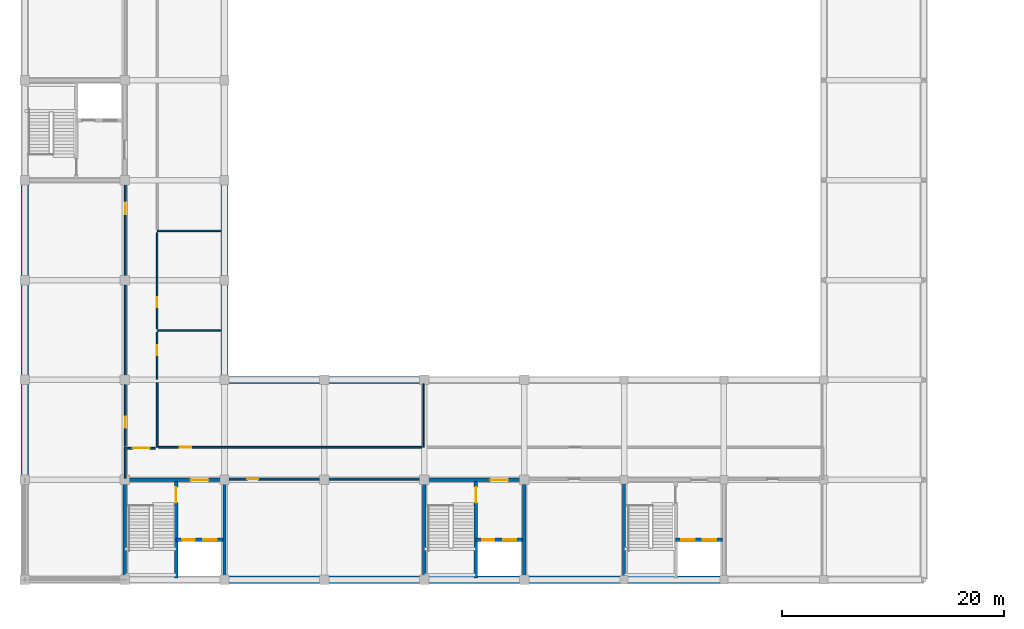
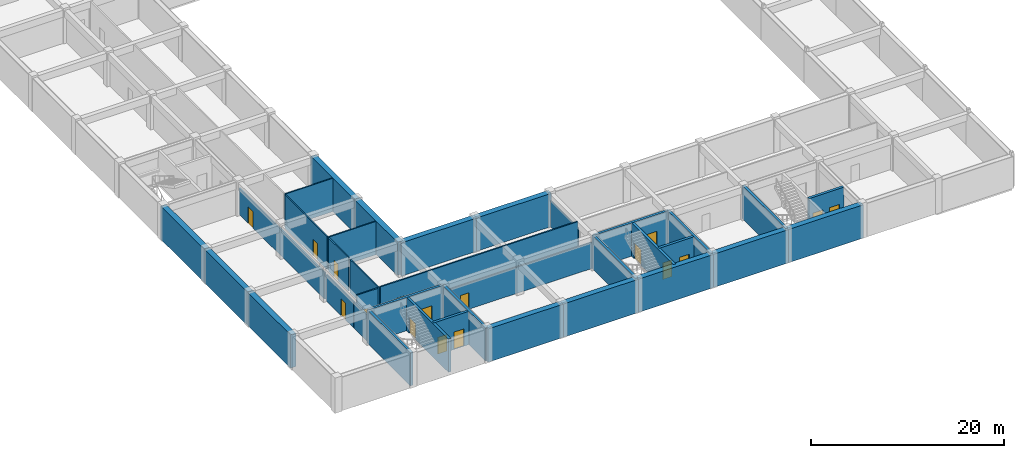
# One storey, part 18 of 35: 36 walls, 17 doors, 17 openings.
"""IFC4 building model written with IfcOpenShell, lengths in metres."""

from ifc_helpers import new_model, si_unit, direction, frame, frame_2d, origin, place, context, subcontext, project, spatial, rectangle, extrude, material, layer, layer_set, type_object, element, fill, save


model = new_model("IFC4")

# Units and contexts
model_context = context("Model", 3, precision=1e-05, world=origin(), true_north=direction((0.0, 1.0)))
body_context = subcontext(model_context, "Body", "Model", "MODEL_VIEW")
ifc_project = project(units=[si_unit("LENGTHUNIT", "METRE"), si_unit("AREAUNIT", "SQUARE_METRE"), si_unit("VOLUMEUNIT", "CUBIC_METRE"), si_unit("PLANEANGLEUNIT", "RADIAN"), si_unit("MASSUNIT", "GRAM", prefix="KILO")], contexts=[model_context])

# Site, building, storey
site_placement = place(None, origin())
site = spatial("IfcSite", under=ifc_project, at=site_placement, CompositionType="ELEMENT")
building_placement = place(site_placement, origin())
building = spatial("IfcBuilding", under=site, at=building_placement, Name="Palais des Congres Ocreval", CompositionType="ELEMENT")
storey_placement = place(building_placement, frame((0.0, 0.0, -4.47998046875)))
storey = spatial("IfcBuildingStorey", under=building, at=storey_placement, Name="B1", CompositionType="ELEMENT", Elevation=-4.47998046875)

# Walls
ifc_material_1 = material(Name="Moisture-resistant gypsum board")
ifc_layer_1 = layer(ifc_material_1, 0.139892578125)
ifc_layer_set_1 = layer_set([ifc_layer_1], Name="Bathroom Plumbing Chase Wall 140 Gypsum (Moisture-resistant gypsum board)")
wall_type_1 = type_object("IfcWallType", Name="Bathroom Plumbing Chase Wall 140 Gypsum", PredefinedType="PLUMBINGWALL", material=ifc_layer_set_1)
for number, where, z_axis, x_axis, name in (
    (1, (11.93994140625, 22.43505859375, 0.0), (0.0, 0.0, 1.0), (1.0, 0.0, 0.0), "Interior Partition PW03 B1"),
    (2, (11.93994140625, 31.43505859375, 0.0), (0.0, 0.0, 1.0), (1.0, 0.0, 0.0), "Interior Partition PW03 B1"),
):
    element("IfcWall", number, at=place(storey_placement, frame(where, z_axis=z_axis, x_axis=x_axis)), inside=storey, type_object=wall_type_1, Name=name, PredefinedType="PLUMBINGWALL", context=body_context, shape_type="SweptSolid", body=[
        extrude(rectangle(XDim=5.72998046875, YDim=0.139892578125, at=frame_2d((2.864990234375, 0.0))), origin(), (0.0, 0.0, 1.0), 4.219970703125),
    ])

# Wall, opening, door
wall_1_placement = place(storey_placement, frame((11.93505859375, 18.070068359375, 0.0), z_axis=(0.0, 0.0, 1.0), x_axis=(0.0, 1.0, 0.0)))
wall_1 = element("IfcWall", 3, at=wall_1_placement, inside=storey, type_object=wall_type_1, Name="Interior Partition PW03 B1", PredefinedType="PLUMBINGWALL", context=body_context, shape_type="SweptSolid", body=[
    extrude(rectangle(XDim=4.2099609375, YDim=0.139892578125, at=frame_2d((2.10498046875, 0.0))), origin(), (0.0, 0.0, 1.0), 4.219970703125),
])
opening_1_placement = place(wall_1_placement, frame((2.16015625, 0.0, 0.0)))
opening_1 = element("IfcOpeningElement", 4, at=opening_1_placement, cuts=wall_1, Name="Opening D09", PredefinedType="OPENING", context=body_context, shape_type="SweptSolid", body=[
    extrude(rectangle(XDim=0.89990234375, YDim=2.10009765625, at=frame_2d((0.449951171875, 1.050048828125))), frame((0.0, 0.079833984375, 0.0), z_axis=(0.0, -1.0, 0.0), x_axis=(1.0, 0.0, 0.0)), (0.0, 0.0, 1.0), 0.159912109375),
])
ifc_material_2 = material(Name="Solid French oak", Category="wood")
door_type_1 = type_object("IfcDoorType", Name="Accessible Restroom Door 900x2100", OperationType="NOTDEFINED", PredefinedType="DOOR", material=ifc_material_2)
door_1_placement = place(opening_1_placement, origin())
door_1 = element("IfcDoor", 5, at=door_1_placement, inside=storey, type_object=door_type_1, Name="Interior Door D09 B1", OperationType="SINGLE_SWING_LEFT", OverallHeight=2.10009765625, OverallWidth=0.89990234375, PredefinedType="DOOR", context=body_context, shape_type="SweptSolid", body=[
    extrude(rectangle(XDim=0.89990234375, YDim=2.10009765625, at=frame_2d((0.449951171875, 1.050048828125))), frame((0.0, 0.02490234375, 0.0), z_axis=(0.0, -1.0, 0.0), x_axis=(1.0, 0.0, 0.0)), (0.0, 0.0, 1.0), 0.050048828125),
])
fill(opening_1, door_1)

wall_2_placement = place(storey_placement, frame((11.93505859375, 22.590087890625, 0.0), z_axis=(0.0, 0.0, 1.0), x_axis=(0.0, 1.0, 0.0)))
wall_2 = element("IfcWall", 6, at=wall_2_placement, inside=storey, type_object=wall_type_1, Name="Interior Partition PW03 B1", PredefinedType="PLUMBINGWALL", context=body_context, shape_type="SweptSolid", body=[
    extrude(rectangle(XDim=8.68994140625, YDim=0.139892578125, at=frame_2d((4.344970703125, 0.0))), origin(), (0.0, 0.0, 1.0), 4.219970703125),
])
opening_2_placement = place(wall_2_placement, frame((1.949951171875, 0.0, 0.0)))
opening_2 = element("IfcOpeningElement", 7, at=opening_2_placement, cuts=wall_2, Name="Opening D09", PredefinedType="OPENING", context=body_context, shape_type="SweptSolid", body=[
    extrude(rectangle(XDim=0.89990234375, YDim=2.10009765625, at=frame_2d((0.449951171875, 1.050048828125))), frame((0.0, 0.079833984375, 0.0), z_axis=(0.0, -1.0, 0.0), x_axis=(1.0, 0.0, 0.0)), (0.0, 0.0, 1.0), 0.159912109375),
])
door_2_placement = place(opening_2_placement, origin())
door_2 = element("IfcDoor", 8, at=door_2_placement, inside=storey, type_object=door_type_1, Name="Interior Door D09 B1", OperationType="SINGLE_SWING_RIGHT", OverallHeight=2.10009765625, OverallWidth=0.89990234375, PredefinedType="DOOR", context=body_context, shape_type="SweptSolid", body=[
    extrude(rectangle(XDim=0.89990234375, YDim=2.10009765625, at=frame_2d((0.449951171875, 1.050048828125))), frame((0.0, 0.02490234375, 0.0), z_axis=(0.0, -1.0, 0.0), x_axis=(1.0, 0.0, 0.0)), (0.0, 0.0, 1.0), 0.050048828125),
])
fill(opening_2, door_2)

# Wall
ifc_material_3 = material(Name="Concrete C40/50", Category="concrete")
ifc_layer_2 = layer(ifc_material_3, 0.300048828125)
ifc_layer_set_2 = layer_set([ifc_layer_2], Name="Core Shear Wall 300 Concrete C40/50")
wall_type_2 = type_object("IfcWallType", Name="Core Shear Wall 300 Concrete C40/50", PredefinedType="SHEAR", material=ifc_layer_set_2)
wall_3_placement = place(storey_placement, frame((18.0, 0.0, 0.0), z_axis=(0.0, 0.0, 1.0), x_axis=(0.0, 1.0, 0.0)))
element("IfcWall", 9, at=wall_3_placement, inside=storey, type_object=wall_type_2, Name="Core Shear Wall SC01 B1 E", PredefinedType="SHEAR", context=body_context, shape_type="SweptSolid", body=[
    extrude(rectangle(XDim=9.0, YDim=0.300048828125, at=frame_2d((4.5, 0.0))), origin(), (0.0, 0.0, 1.0), 4.219970703125),
])

# Wall, opening, door
wall_4_placement = place(storey_placement, frame((9.0, 9.0, 0.0), z_axis=(0.0, 0.0, 1.0), x_axis=(1.0, 0.0, 0.0)))
wall_4 = element("IfcWall", 10, at=wall_4_placement, inside=storey, type_object=wall_type_2, Name="Core Shear Wall SC01 B1 N", PredefinedType="SHEAR", context=body_context, shape_type="SweptSolid", body=[
    extrude(rectangle(XDim=9.0, YDim=0.300048828125, at=frame_2d((4.5, 0.0))), origin(), (0.0, 0.0, 1.0), 4.219970703125),
])
opening_3_placement = place(wall_4_placement, frame((5.949951171875, 0.0, 0.0)))
opening_3 = element("IfcOpeningElement", 11, at=opening_3_placement, cuts=wall_4, Name="Opening D02", PredefinedType="OPENING", context=body_context, shape_type="SweptSolid", body=[
    extrude(rectangle(XDim=1.60009765625, YDim=2.10009765625, at=frame_2d((0.800048828125, 1.050048828125))), frame((0.0, 0.159912109375, 0.0), z_axis=(0.0, -1.0, 0.0), x_axis=(1.0, 0.0, 0.0)), (0.0, 0.0, 1.0), 0.320068359375),
])
ifc_material_4 = material(Name="Painted fire-rated steel", Category="steel")
door_type_2 = type_object("IfcDoorType", Name="Firefighting Lobby Rated Door 1600x2100", OperationType="NOTDEFINED", PredefinedType="DOOR", material=ifc_material_4)
door_3_placement = place(opening_3_placement, origin())
door_3 = element("IfcDoor", 12, at=door_3_placement, inside=storey, type_object=door_type_2, Name="Firefighting Lobby Entrance Door SC01 B1", OperationType="DOUBLE_DOOR_SINGLE_SWING", OverallHeight=2.10009765625, OverallWidth=1.60009765625, PredefinedType="DOOR", context=body_context, shape_type="SweptSolid", body=[
    extrude(rectangle(XDim=1.60009765625, YDim=2.10009765625, at=frame_2d((0.800048828125, 1.050048828125))), frame((0.0, 0.02490234375, 0.0), z_axis=(0.0, -1.0, 0.0), x_axis=(1.0, 0.0, 0.0)), (0.0, 0.0, 1.0), 0.050048828125),
])
fill(opening_3, door_3)

# Wall
wall_5_placement = place(storey_placement, frame((9.0, 0.0, 0.0), z_axis=(0.0, 0.0, 1.0), x_axis=(0.0, 1.0, 0.0)))
element("IfcWall", 13, at=wall_5_placement, inside=storey, type_object=wall_type_2, Name="Core Shear Wall SC01 B1 W", PredefinedType="SHEAR", context=body_context, shape_type="SweptSolid", body=[
    extrude(rectangle(XDim=9.0, YDim=0.300048828125, at=frame_2d((4.5, 0.0))), origin(), (0.0, 0.0, 1.0), 4.219970703125),
])

# Wall, opening, door
wall_6_placement = place(storey_placement, frame((13.64990234375, 0.14990234375, 0.0), z_axis=(0.0, 0.0, 1.0), x_axis=(0.0, 1.0, 0.0)))
wall_6 = element("IfcWall", 14, at=wall_6_placement, inside=storey, type_object=wall_type_2, Name="Core Spine Shear Wall SC01 B1", PredefinedType="SHEAR", context=body_context, shape_type="SweptSolid", body=[
    extrude(rectangle(XDim=8.7001953125, YDim=0.300048828125, at=frame_2d((4.35009765625, 0.0))), origin(), (0.0, 0.0, 1.0), 4.219970703125),
])
opening_4_placement = place(wall_6_placement, frame((6.800048828125, 0.0, 0.0)))
opening_4 = element("IfcOpeningElement", 15, at=opening_4_placement, cuts=wall_6, Name="Opening D03", PredefinedType="OPENING", context=body_context, shape_type="SweptSolid", body=[
    extrude(rectangle(XDim=1.39990234375, YDim=2.02001953125, at=frame_2d((0.699951171875, 1.010009765625))), frame((0.0, 0.159912109375, 0.0), z_axis=(0.0, -1.0, 0.0), x_axis=(1.0, 0.0, 0.0)), (0.0, 0.0, 1.0), 0.320068359375),
])
door_type_3 = type_object("IfcDoorType", Name="Core Lobby Rated Door 1400x2020", OperationType="NOTDEFINED", PredefinedType="DOOR", material=ifc_material_4)
door_4_placement = place(opening_4_placement, origin())
door_4 = element("IfcDoor", 16, at=door_4_placement, inside=storey, type_object=door_type_3, Name="Protected Exit Stair Door ST01 B1", OperationType="SINGLE_SWING_LEFT", OverallHeight=2.02001953125, OverallWidth=1.39990234375, PredefinedType="DOOR", context=body_context, shape_type="SweptSolid", body=[
    extrude(rectangle(XDim=1.39990234375, YDim=2.02001953125, at=frame_2d((0.699951171875, 1.010009765625))), frame((0.0, 0.02490234375, 0.0), z_axis=(0.0, -1.0, 0.0), x_axis=(1.0, 0.0, 0.0)), (0.0, 0.0, 1.0), 0.050048828125),
])
fill(opening_4, door_4)

# Wall, openings, doors
wall_7_placement = place(storey_placement, frame((13.64990234375, 3.60009765625, 0.0), z_axis=(0.0, 0.0, 1.0), x_axis=(1.0, 0.0, 0.0)))
wall_7 = element("IfcWall", 17, at=wall_7_placement, inside=storey, type_object=wall_type_2, Name="Lift Shaft Front Wall SC01 B1", PredefinedType="SHEAR", context=body_context, shape_type="SweptSolid", body=[
    extrude(rectangle(XDim=4.2001953125, YDim=0.300048828125, at=frame_2d((2.10009765625, 0.0))), origin(), (0.0, 0.0, 1.0), 4.219970703125),
])
opening_5_placement = place(wall_7_placement, frame((0.550048828125, 0.0, 0.0)))
opening_5 = element("IfcOpeningElement", 18, at=opening_5_placement, cuts=wall_7, Name="Opening LD01", PredefinedType="OPENING", context=body_context, shape_type="SweptSolid", body=[
    extrude(rectangle(XDim=1.10009765625, YDim=2.10009765625, at=frame_2d((0.550048828125, 1.050048828125))), frame((0.0, 0.159912109375, 0.0), z_axis=(0.0, -1.0, 0.0), x_axis=(1.0, 0.0, 0.0)), (0.0, 0.0, 1.0), 0.320068359375),
])
opening_6_placement = place(wall_7_placement, frame((2.449951171875, 0.0, 0.0)))
opening_6 = element("IfcOpeningElement", 19, at=opening_6_placement, cuts=wall_7, Name="Opening LD02", PredefinedType="OPENING", context=body_context, shape_type="SweptSolid", body=[
    extrude(rectangle(XDim=1.199951171875, YDim=2.199951171875, at=frame_2d((0.60009765625, 1.10009765625))), frame((0.0, 0.159912109375, 0.0), z_axis=(0.0, -1.0, 0.0), x_axis=(1.0, 0.0, 0.0)), (0.0, 0.0, 1.0), 0.320068359375),
])
ifc_material_5 = material(Name="Stainless steel", Category="steel")
door_type_4 = type_object("IfcDoorType", Name="Firefighting Lift Sliding Landing Door 1100x2100", OperationType="NOTDEFINED", PredefinedType="DOOR", material=ifc_material_5)
door_5_placement = place(opening_5_placement, origin())
door_5 = element("IfcDoor", 20, at=door_5_placement, inside=storey, type_object=door_type_4, Name="Lift Landing Sliding Door FF1 B1", OperationType="DOUBLE_DOOR_SLIDING", OverallHeight=2.10009765625, OverallWidth=1.10009765625, PredefinedType="DOOR", context=body_context, shape_type="SweptSolid", body=[
    extrude(rectangle(XDim=1.10009765625, YDim=2.10009765625, at=frame_2d((0.550048828125, 1.050048828125))), frame((0.0, 0.02490234375, 0.0), z_axis=(0.0, -1.0, 0.0), x_axis=(1.0, 0.0, 0.0)), (0.0, 0.0, 1.0), 0.050048828125),
])
fill(opening_5, door_5)
ifc_material_6 = material(Name="Anodized bronze steel", Category="steel")
door_type_5 = type_object("IfcDoorType", Name="Passenger and Service Lift Sliding Door 1200x2200", OperationType="NOTDEFINED", PredefinedType="DOOR", material=ifc_material_6)
door_6_placement = place(opening_6_placement, origin())
door_6 = element("IfcDoor", 21, at=door_6_placement, inside=storey, type_object=door_type_5, Name="Lift Landing Sliding Door PL1 B1", OperationType="DOUBLE_DOOR_SLIDING", OverallHeight=2.199951171875, OverallWidth=1.199951171875, PredefinedType="DOOR", context=body_context, shape_type="SweptSolid", body=[
    extrude(rectangle(XDim=1.199951171875, YDim=2.199951171875, at=frame_2d((0.60009765625, 1.10009765625))), frame((0.0, 0.02490234375, 0.0), z_axis=(0.0, -1.0, 0.0), x_axis=(1.0, 0.0, 0.0)), (0.0, 0.0, 1.0), 0.050048828125),
])
fill(opening_6, door_6)

# Wall
wall_8_placement = place(storey_placement, frame((45.0, 0.0, 0.0), z_axis=(0.0, 0.0, 1.0), x_axis=(0.0, 1.0, 0.0)))
element("IfcWall", 22, at=wall_8_placement, inside=storey, type_object=wall_type_2, Name="Core Shear Wall SC02 B1 E", PredefinedType="SHEAR", context=body_context, shape_type="SweptSolid", body=[
    extrude(rectangle(XDim=9.0, YDim=0.300048828125, at=frame_2d((4.5, 0.0))), origin(), (0.0, 0.0, 1.0), 4.219970703125),
])

# Wall, opening, door
wall_9_placement = place(storey_placement, frame((36.0, 9.0, 0.0), z_axis=(0.0, 0.0, 1.0), x_axis=(1.0, 0.0, 0.0)))
wall_9 = element("IfcWall", 23, at=wall_9_placement, inside=storey, type_object=wall_type_2, Name="Core Shear Wall SC02 B1 N", PredefinedType="SHEAR", context=body_context, shape_type="SweptSolid", body=[
    extrude(rectangle(XDim=9.0, YDim=0.300048828125, at=frame_2d((4.5, 0.0))), origin(), (0.0, 0.0, 1.0), 4.219970703125),
])
opening_7_placement = place(wall_9_placement, frame((5.949951171875, 0.0, 0.0)))
opening_7 = element("IfcOpeningElement", 24, at=opening_7_placement, cuts=wall_9, Name="Opening D02", PredefinedType="OPENING", context=body_context, shape_type="SweptSolid", body=[
    extrude(rectangle(XDim=1.60009765625, YDim=2.10009765625, at=frame_2d((0.800048828125, 1.050048828125))), frame((0.0, 0.159912109375, 0.0), z_axis=(0.0, -1.0, 0.0), x_axis=(1.0, 0.0, 0.0)), (0.0, 0.0, 1.0), 0.320068359375),
])
door_7_placement = place(opening_7_placement, origin())
door_7 = element("IfcDoor", 25, at=door_7_placement, inside=storey, type_object=door_type_2, Name="Firefighting Lobby Entrance Door SC02 B1", OperationType="DOUBLE_DOOR_SINGLE_SWING", OverallHeight=2.10009765625, OverallWidth=1.60009765625, PredefinedType="DOOR", context=body_context, shape_type="SweptSolid", body=[
    extrude(rectangle(XDim=1.60009765625, YDim=2.10009765625, at=frame_2d((0.800048828125, 1.050048828125))), frame((0.0, 0.02490234375, 0.0), z_axis=(0.0, -1.0, 0.0), x_axis=(1.0, 0.0, 0.0)), (0.0, 0.0, 1.0), 0.050048828125),
])
fill(opening_7, door_7)

# Wall
wall_10_placement = place(storey_placement, frame((36.0, 0.0, 0.0), z_axis=(0.0, 0.0, 1.0), x_axis=(0.0, 1.0, 0.0)))
element("IfcWall", 26, at=wall_10_placement, inside=storey, type_object=wall_type_2, Name="Core Shear Wall SC02 B1 W", PredefinedType="SHEAR", context=body_context, shape_type="SweptSolid", body=[
    extrude(rectangle(XDim=9.0, YDim=0.300048828125, at=frame_2d((4.5, 0.0))), origin(), (0.0, 0.0, 1.0), 4.219970703125),
])

# Wall, opening, door
wall_11_placement = place(storey_placement, frame((40.64990234375, 0.14990234375, 0.0), z_axis=(0.0, 0.0, 1.0), x_axis=(0.0, 1.0, 0.0)))
wall_11 = element("IfcWall", 27, at=wall_11_placement, inside=storey, type_object=wall_type_2, Name="Core Spine Shear Wall SC02 B1", PredefinedType="SHEAR", context=body_context, shape_type="SweptSolid", body=[
    extrude(rectangle(XDim=8.7001953125, YDim=0.300048828125, at=frame_2d((4.35009765625, 0.0))), origin(), (0.0, 0.0, 1.0), 4.219970703125),
])
opening_8_placement = place(wall_11_placement, frame((6.800048828125, 0.0, 0.0)))
opening_8 = element("IfcOpeningElement", 28, at=opening_8_placement, cuts=wall_11, Name="Opening D03", PredefinedType="OPENING", context=body_context, shape_type="SweptSolid", body=[
    extrude(rectangle(XDim=1.39990234375, YDim=2.02001953125, at=frame_2d((0.699951171875, 1.010009765625))), frame((0.0, 0.159912109375, 0.0), z_axis=(0.0, -1.0, 0.0), x_axis=(1.0, 0.0, 0.0)), (0.0, 0.0, 1.0), 0.320068359375),
])
door_8_placement = place(opening_8_placement, origin())
door_8 = element("IfcDoor", 29, at=door_8_placement, inside=storey, type_object=door_type_3, Name="Protected Exit Stair Door ST02 B1", OperationType="SINGLE_SWING_RIGHT", OverallHeight=2.02001953125, OverallWidth=1.39990234375, PredefinedType="DOOR", context=body_context, shape_type="SweptSolid", body=[
    extrude(rectangle(XDim=1.39990234375, YDim=2.02001953125, at=frame_2d((0.699951171875, 1.010009765625))), frame((0.0, 0.02490234375, 0.0), z_axis=(0.0, -1.0, 0.0), x_axis=(1.0, 0.0, 0.0)), (0.0, 0.0, 1.0), 0.050048828125),
])
fill(opening_8, door_8)

# Wall, openings, doors
wall_12_placement = place(storey_placement, frame((40.64990234375, 3.60009765625, 0.0), z_axis=(0.0, 0.0, 1.0), x_axis=(1.0, 0.0, 0.0)))
wall_12 = element("IfcWall", 30, at=wall_12_placement, inside=storey, type_object=wall_type_2, Name="Lift Shaft Front Wall SC02 B1", PredefinedType="SHEAR", context=body_context, shape_type="SweptSolid", body=[
    extrude(rectangle(XDim=4.2001953125, YDim=0.300048828125, at=frame_2d((2.10009765625, 0.0))), origin(), (0.0, 0.0, 1.0), 4.219970703125),
])
opening_9_placement = place(wall_12_placement, frame((0.550048828125, 0.0, 0.0)))
opening_9 = element("IfcOpeningElement", 31, at=opening_9_placement, cuts=wall_12, Name="Opening LD01", PredefinedType="OPENING", context=body_context, shape_type="SweptSolid", body=[
    extrude(rectangle(XDim=1.10009765625, YDim=2.10009765625, at=frame_2d((0.550048828125, 1.050048828125))), frame((0.0, 0.159912109375, 0.0), z_axis=(0.0, -1.0, 0.0), x_axis=(1.0, 0.0, 0.0)), (0.0, 0.0, 1.0), 0.320068359375),
])
opening_10_placement = place(wall_12_placement, frame((2.449951171875, 0.0, 0.0)))
opening_10 = element("IfcOpeningElement", 32, at=opening_10_placement, cuts=wall_12, Name="Opening LD02", PredefinedType="OPENING", context=body_context, shape_type="SweptSolid", body=[
    extrude(rectangle(XDim=1.199951171875, YDim=2.199951171875, at=frame_2d((0.60009765625, 1.10009765625))), frame((0.0, 0.159912109375, 0.0), z_axis=(0.0, -1.0, 0.0), x_axis=(1.0, 0.0, 0.0)), (0.0, 0.0, 1.0), 0.320068359375),
])
door_9_placement = place(opening_9_placement, origin())
door_9 = element("IfcDoor", 33, at=door_9_placement, inside=storey, type_object=door_type_4, Name="Lift Landing Sliding Door FF2 B1", OperationType="DOUBLE_DOOR_SLIDING", OverallHeight=2.10009765625, OverallWidth=1.10009765625, PredefinedType="DOOR", context=body_context, shape_type="SweptSolid", body=[
    extrude(rectangle(XDim=1.10009765625, YDim=2.10009765625, at=frame_2d((0.550048828125, 1.050048828125))), frame((0.0, 0.02490234375, 0.0), z_axis=(0.0, -1.0, 0.0), x_axis=(1.0, 0.0, 0.0)), (0.0, 0.0, 1.0), 0.050048828125),
])
fill(opening_9, door_9)
door_10_placement = place(opening_10_placement, origin())
door_10 = element("IfcDoor", 34, at=door_10_placement, inside=storey, type_object=door_type_5, Name="Lift Landing Sliding Door PL2 B1", OperationType="DOUBLE_DOOR_SLIDING", OverallHeight=2.199951171875, OverallWidth=1.199951171875, PredefinedType="DOOR", context=body_context, shape_type="SweptSolid", body=[
    extrude(rectangle(XDim=1.199951171875, YDim=2.199951171875, at=frame_2d((0.60009765625, 1.10009765625))), frame((0.0, 0.02490234375, 0.0), z_axis=(0.0, -1.0, 0.0), x_axis=(1.0, 0.0, 0.0)), (0.0, 0.0, 1.0), 0.050048828125),
])
fill(opening_10, door_10)

# Wall
wall_13_placement = place(storey_placement, frame((54.0, 0.0, 0.0), z_axis=(0.0, 0.0, 1.0), x_axis=(0.0, 1.0, 0.0)))
element("IfcWall", 35, at=wall_13_placement, inside=storey, type_object=wall_type_2, Name="Core Shear Wall SC04 B1 W", PredefinedType="SHEAR", context=body_context, shape_type="SweptSolid", body=[
    extrude(rectangle(XDim=9.0, YDim=0.300048828125, at=frame_2d((4.5, 0.0))), origin(), (0.0, 0.0, 1.0), 4.219970703125),
])

# Wall, openings, doors
wall_14_placement = place(storey_placement, frame((58.64990234375, 3.60009765625, 0.0), z_axis=(0.0, 0.0, 1.0), x_axis=(1.0, 0.0, 0.0)))
wall_14 = element("IfcWall", 36, at=wall_14_placement, inside=storey, type_object=wall_type_2, Name="Lift Shaft Front Wall SC04 B1", PredefinedType="SHEAR", context=body_context, shape_type="SweptSolid", body=[
    extrude(rectangle(XDim=4.2001953125, YDim=0.300048828125, at=frame_2d((2.10009765625, 0.0))), origin(), (0.0, 0.0, 1.0), 4.219970703125),
])
opening_11_placement = place(wall_14_placement, frame((0.5, 0.0, 0.0)))
opening_11 = element("IfcOpeningElement", 37, at=opening_11_placement, cuts=wall_14, Name="Opening LD02", PredefinedType="OPENING", context=body_context, shape_type="SweptSolid", body=[
    extrude(rectangle(XDim=1.199951171875, YDim=2.199951171875, at=frame_2d((0.60009765625, 1.10009765625))), frame((0.0, 0.159912109375, 0.0), z_axis=(0.0, -1.0, 0.0), x_axis=(1.0, 0.0, 0.0)), (0.0, 0.0, 1.0), 0.320068359375),
])
opening_12_placement = place(wall_14_placement, frame((2.449951171875, 0.0, 0.0)))
opening_12 = element("IfcOpeningElement", 38, at=opening_12_placement, cuts=wall_14, Name="Opening LD02", PredefinedType="OPENING", context=body_context, shape_type="SweptSolid", body=[
    extrude(rectangle(XDim=1.199951171875, YDim=2.199951171875, at=frame_2d((0.60009765625, 1.10009765625))), frame((0.0, 0.159912109375, 0.0), z_axis=(0.0, -1.0, 0.0), x_axis=(1.0, 0.0, 0.0)), (0.0, 0.0, 1.0), 0.320068359375),
])
door_11_placement = place(opening_11_placement, origin())
door_11 = element("IfcDoor", 39, at=door_11_placement, inside=storey, type_object=door_type_5, Name="Lift Landing Sliding Door PL4 B1", OperationType="DOUBLE_DOOR_SLIDING", OverallHeight=2.199951171875, OverallWidth=1.199951171875, PredefinedType="DOOR", context=body_context, shape_type="SweptSolid", body=[
    extrude(rectangle(XDim=1.199951171875, YDim=2.199951171875, at=frame_2d((0.60009765625, 1.10009765625))), frame((0.0, 0.02490234375, 0.0), z_axis=(0.0, -1.0, 0.0), x_axis=(1.0, 0.0, 0.0)), (0.0, 0.0, 1.0), 0.050048828125),
])
fill(opening_11, door_11)
door_12_placement = place(opening_12_placement, origin())
door_12 = element("IfcDoor", 40, at=door_12_placement, inside=storey, type_object=door_type_5, Name="Lift Landing Sliding Door BL1 B1", OperationType="DOUBLE_DOOR_SLIDING", OverallHeight=2.199951171875, OverallWidth=1.199951171875, PredefinedType="DOOR", context=body_context, shape_type="SweptSolid", body=[
    extrude(rectangle(XDim=1.199951171875, YDim=2.199951171875, at=frame_2d((0.60009765625, 1.10009765625))), frame((0.0, 0.02490234375, 0.0), z_axis=(0.0, -1.0, 0.0), x_axis=(1.0, 0.0, 0.0)), (0.0, 0.0, 1.0), 0.050048828125),
])
fill(opening_12, door_12)

# Walls
ifc_material_7 = material(Name="Gypsum acoustic partition")
ifc_layer_3 = layer(ifc_material_7, 0.159912109375)
ifc_layer_set_3 = layer_set([ifc_layer_3], Name="Corridor Fire Partition 160 Gypsum (Gypsum acoustic partition)")
wall_type_3 = type_object("IfcWallType", Name="Corridor Fire Partition 160 Gypsum", PredefinedType="PARTITIONING", material=ifc_layer_set_3)
wall_15_placement = place(storey_placement, frame((9.06494140625, 9.155029296875, 0.0), z_axis=(0.0, 0.0, 1.0), x_axis=(0.0, 1.0, 0.0)))
element("IfcWall", 41, at=wall_15_placement, inside=storey, type_object=wall_type_3, Name="Interior Partition IW03 B1", PredefinedType="PARTITIONING", context=body_context, shape_type="SweptSolid", body=[
    extrude(rectangle(XDim=2.77490234375, YDim=0.159912109375, at=frame_2d((1.387451171875, 0.0))), origin(), (0.0, 0.0, 1.0), 3.320068359375),
])
wall_16_placement = place(storey_placement, frame((11.93505859375, 11.93994140625, 0.0), z_axis=(0.0, 0.0, 1.0), x_axis=(0.0, 1.0, 0.0)))
element("IfcWall", 42, at=wall_16_placement, inside=storey, type_object=wall_type_3, Name="Interior Partition IW03 B1", PredefinedType="PARTITIONING", context=body_context, shape_type="SweptSolid", body=[
    extrude(rectangle(XDim=5.7900390625, YDim=0.159912109375, at=frame_2d((2.89501953125, 0.0))), origin(), (0.0, 0.0, 1.0), 4.219970703125),
])

# Wall, opening, door
wall_17_placement = place(storey_placement, frame((9.219970703125, 11.85009765625, 0.0), z_axis=(0.0, 0.0, 1.0), x_axis=(1.0, 0.0, 0.0)))
wall_17 = element("IfcWall", 43, at=wall_17_placement, inside=storey, type_object=wall_type_3, Name="Interior Partition IW03 B1", PredefinedType="PARTITIONING", context=body_context, shape_type="SweptSolid", body=[
    extrude(rectangle(XDim=2.56005859375, YDim=0.159912109375, at=frame_2d((1.280029296875, 0.0))), origin(), (0.0, 0.0, 1.0), 4.219970703125),
])
opening_13_placement = place(wall_17_placement, frame((0.530029296875, 0.0, 0.0)))
opening_13 = element("IfcOpeningElement", 44, at=opening_13_placement, cuts=wall_17, Name="Opening D04", PredefinedType="OPENING", context=body_context, shape_type="SweptSolid", body=[
    extrude(rectangle(XDim=1.5, YDim=2.10009765625, at=frame_2d((0.75, 1.050048828125))), frame((0.0, 0.08984375, 0.0), z_axis=(0.0, -1.0, 0.0), x_axis=(1.0, 0.0, 0.0)), (0.0, 0.0, 1.0), 0.179931640625),
])
ifc_material_8 = material(Name="Solid French oak fire door", Category="wood")
door_type_6 = type_object("IfcDoorType", Name="Corridor Compartment Double Door 1500x2100", OperationType="NOTDEFINED", PredefinedType="DOOR", material=ifc_material_8)
door_13_placement = place(opening_13_placement, origin())
door_13 = element("IfcDoor", 45, at=door_13_placement, inside=storey, type_object=door_type_6, Name="Interior Door D04 B1", OperationType="DOUBLE_DOOR_SINGLE_SWING", OverallHeight=2.10009765625, OverallWidth=1.5, PredefinedType="DOOR", context=body_context, shape_type="SweptSolid", body=[
    extrude(rectangle(XDim=1.5, YDim=2.10009765625, at=frame_2d((0.75, 1.050048828125))), frame((0.0, 0.02490234375, 0.0), z_axis=(0.0, -1.0, 0.0), x_axis=(1.0, 0.0, 0.0)), (0.0, 0.0, 1.0), 0.050048828125),
])
fill(opening_13, door_13)

wall_18_placement = place(storey_placement, frame((18.155029296875, 9.06494140625, 0.0), z_axis=(0.0, 0.0, 1.0), x_axis=(1.0, 0.0, 0.0)))
wall_18 = element("IfcWall", 46, at=wall_18_placement, inside=storey, type_object=wall_type_3, Name="Interior Partition IW03 B1", PredefinedType="PARTITIONING", context=body_context, shape_type="SweptSolid", body=[
    extrude(rectangle(XDim=17.68994140625, YDim=0.159912109375, at=frame_2d((8.844970703125, 0.0))), origin(), (0.0, 0.0, 1.0), 3.320068359375),
])
opening_14_placement = place(wall_18_placement, frame((1.89990234375, 0.0, 0.0)))
opening_14 = element("IfcOpeningElement", 47, at=opening_14_placement, cuts=wall_18, Name="Opening D10", PredefinedType="OPENING", context=body_context, shape_type="SweptSolid", body=[
    extrude(rectangle(XDim=1.0, YDim=2.10009765625, at=frame_2d((0.5, 1.050048828125))), frame((0.0, 0.08984375, 0.0), z_axis=(0.0, -1.0, 0.0), x_axis=(1.0, 0.0, 0.0)), (0.0, 0.0, 1.0), 0.179931640625),
])
ifc_material_9 = material(Name="Painted steel", Category="steel")
door_type_7 = type_object("IfcDoorType", Name="Service and Pantry Door 1000x2100", OperationType="NOTDEFINED", PredefinedType="DOOR", material=ifc_material_9)
door_14_placement = place(opening_14_placement, origin())
door_14 = element("IfcDoor", 48, at=door_14_placement, inside=storey, type_object=door_type_7, Name="Interior Door D10 B1", OperationType="SINGLE_SWING_LEFT", OverallHeight=2.10009765625, OverallWidth=1.0, PredefinedType="DOOR", context=body_context, shape_type="SweptSolid", body=[
    extrude(rectangle(XDim=1.0, YDim=2.10009765625, at=frame_2d((0.5, 1.050048828125))), frame((0.0, 0.02490234375, 0.0), z_axis=(0.0, -1.0, 0.0), x_axis=(1.0, 0.0, 0.0)), (0.0, 0.0, 1.0), 0.050048828125),
])
fill(opening_14, door_14)

wall_19_placement = place(storey_placement, frame((12.090087890625, 11.93505859375, 0.0), z_axis=(0.0, 0.0, 1.0), x_axis=(1.0, 0.0, 0.0)))
wall_19 = element("IfcWall", 49, at=wall_19_placement, inside=storey, type_object=wall_type_3, Name="Interior Partition IW03 B1", PredefinedType="PARTITIONING", context=body_context, shape_type="SweptSolid", body=[
    extrude(rectangle(XDim=23.68994140625, YDim=0.159912109375, at=frame_2d((11.844970703125, 0.0))), origin(), (0.0, 0.0, 1.0), 4.219970703125),
])
opening_15_placement = place(wall_19_placement, frame((1.89990234375, 0.0, 0.0)))
opening_15 = element("IfcOpeningElement", 50, at=opening_15_placement, cuts=wall_19, Name="Opening D10", PredefinedType="OPENING", context=body_context, shape_type="SweptSolid", body=[
    extrude(rectangle(XDim=1.0, YDim=2.10009765625, at=frame_2d((0.5, 1.050048828125))), frame((0.0, 0.08984375, 0.0), z_axis=(0.0, -1.0, 0.0), x_axis=(1.0, 0.0, 0.0)), (0.0, 0.0, 1.0), 0.179931640625),
])
door_15_placement = place(opening_15_placement, origin())
door_15 = element("IfcDoor", 51, at=door_15_placement, inside=storey, type_object=door_type_7, Name="Interior Door D10 B1", OperationType="SINGLE_SWING_RIGHT", OverallHeight=2.10009765625, OverallWidth=1.0, PredefinedType="DOOR", context=body_context, shape_type="SweptSolid", body=[
    extrude(rectangle(XDim=1.0, YDim=2.10009765625, at=frame_2d((0.5, 1.050048828125))), frame((0.0, 0.02490234375, 0.0), z_axis=(0.0, -1.0, 0.0), x_axis=(1.0, 0.0, 0.0)), (0.0, 0.0, 1.0), 0.050048828125),
])
fill(opening_15, door_15)

wall_20_placement = place(storey_placement, frame((9.06494140625, 12.0048828125, 0.0), z_axis=(0.0, 0.0, 1.0), x_axis=(0.0, 1.0, 0.0)))
wall_20 = element("IfcWall", 52, at=wall_20_placement, inside=storey, type_object=wall_type_3, Name="Interior Partition IW03 B1", PredefinedType="PARTITIONING", context=body_context, shape_type="SweptSolid", body=[
    extrude(rectangle(XDim=5.72509765625, YDim=0.159912109375, at=frame_2d((2.862548828125, 0.0))), origin(), (0.0, 0.0, 1.0), 3.320068359375),
])
opening_16_placement = place(wall_20_placement, frame((1.675537109375, 0.0, 0.0)))
opening_16 = element("IfcOpeningElement", 53, at=opening_16_placement, cuts=wall_20, Name="Opening D10", PredefinedType="OPENING", context=body_context, shape_type="SweptSolid", body=[
    extrude(rectangle(XDim=1.0, YDim=2.10009765625, at=frame_2d((0.5, 1.050048828125))), frame((0.0, 0.08984375, 0.0), z_axis=(0.0, -1.0, 0.0), x_axis=(1.0, 0.0, 0.0)), (0.0, 0.0, 1.0), 0.179931640625),
])
door_16_placement = place(opening_16_placement, origin())
door_16 = element("IfcDoor", 54, at=door_16_placement, inside=storey, type_object=door_type_7, Name="Interior Door D10 B1", OperationType="SINGLE_SWING_RIGHT", OverallHeight=2.10009765625, OverallWidth=1.0, PredefinedType="DOOR", context=body_context, shape_type="SweptSolid", body=[
    extrude(rectangle(XDim=1.0, YDim=2.10009765625, at=frame_2d((0.5, 1.050048828125))), frame((0.0, 0.02490234375, 0.0), z_axis=(0.0, -1.0, 0.0), x_axis=(1.0, 0.0, 0.0)), (0.0, 0.0, 1.0), 0.050048828125),
])
fill(opening_16, door_16)

wall_21_placement = place(storey_placement, frame((9.06494140625, 18.070068359375, 0.0), z_axis=(0.0, 0.0, 1.0), x_axis=(0.0, 1.0, 0.0)))
wall_21 = element("IfcWall", 55, at=wall_21_placement, inside=storey, type_object=wall_type_3, Name="Interior Partition IW03 B1", PredefinedType="PARTITIONING", context=body_context, shape_type="SweptSolid", body=[
    extrude(rectangle(XDim=17.77490234375, YDim=0.159912109375, at=frame_2d((8.887451171875, 0.0))), origin(), (0.0, 0.0, 1.0), 3.320068359375),
])
opening_17_placement = place(wall_21_placement, frame((14.875, 0.0, 0.0)))
opening_17 = element("IfcOpeningElement", 56, at=opening_17_placement, cuts=wall_21, Name="Opening D10", PredefinedType="OPENING", context=body_context, shape_type="SweptSolid", body=[
    extrude(rectangle(XDim=1.0, YDim=2.10009765625, at=frame_2d((0.5, 1.050048828125))), frame((0.0, 0.08984375, 0.0), z_axis=(0.0, -1.0, 0.0), x_axis=(1.0, 0.0, 0.0)), (0.0, 0.0, 1.0), 0.179931640625),
])
door_17_placement = place(opening_17_placement, origin())
door_17 = element("IfcDoor", 57, at=door_17_placement, inside=storey, type_object=door_type_7, Name="Interior Door D10 B1", OperationType="SINGLE_SWING_LEFT", OverallHeight=2.10009765625, OverallWidth=1.0, PredefinedType="DOOR", context=body_context, shape_type="SweptSolid", body=[
    extrude(rectangle(XDim=1.0, YDim=2.10009765625, at=frame_2d((0.5, 1.050048828125))), frame((0.0, 0.02490234375, 0.0), z_axis=(0.0, -1.0, 0.0), x_axis=(1.0, 0.0, 0.0)), (0.0, 0.0, 1.0), 0.050048828125),
])
fill(opening_17, door_17)

# Walls
ifc_material_10 = material(Name="Gypsum board partition")
ifc_layer_4 = layer(ifc_material_10, 0.1201171875)
ifc_layer_set_4 = layer_set([ifc_layer_4], Name="Suite Subdivision Partition 120 Gypsum (Gypsum board partition)")
wall_type_4 = type_object("IfcWallType", Name="Suite Subdivision Partition 120 Gypsum", PredefinedType="PARTITIONING", material=ifc_layer_set_4)
wall_22_placement = place(storey_placement, frame((35.93505859375, 11.93994140625, 0.0), z_axis=(0.0, 0.0, 1.0), x_axis=(0.0, 1.0, 0.0)))
element("IfcWall", 58, at=wall_22_placement, inside=storey, type_object=wall_type_4, Name="Interior Partition IW04 B1", PredefinedType="PARTITIONING", context=body_context, shape_type="SweptSolid", body=[
    extrude(rectangle(XDim=5.72998046875, YDim=0.1201171875, at=frame_2d((2.864990234375, 0.0))), origin(), (0.0, 0.0, 1.0), 3.320068359375),
])
ifc_material_11 = material(Name="Concrete C35/45", Category="concrete")
ifc_layer_5 = layer(ifc_material_11, 0.64990234375)
ifc_layer_set_5 = layer_set([ifc_layer_5], Name="Upper Retaining Wall 650 Concrete C35/45")
wall_type_5 = type_object("IfcWallType", Name="Upper Retaining Wall 650 Concrete C35/45", PredefinedType="USERDEFINED", material=ifc_layer_set_5)
for number, where, z_axis, x_axis, name in (
    (59, (63.0, 0.0, 0.0), (0.0, 0.0, 1.0), (-1.0, 0.0, 0.0), "Basement Diaphragm Wall RW02 B1"),
    (60, (54.0, 0.0, 0.0), (0.0, 0.0, 1.0), (-1.0, 0.0, 0.0), "Basement Diaphragm Wall RW02 B1"),
    (61, (45.0, 0.0, 0.0), (0.0, 0.0, 1.0), (-1.0, 0.0, 0.0), "Basement Diaphragm Wall RW02 B1"),
    (62, (36.0, 0.0, 0.0), (0.0, 0.0, 1.0), (-1.0, 0.0, 0.0), "Basement Diaphragm Wall RW02 B1"),
    (63, (27.0, 0.0, 0.0), (0.0, 0.0, 1.0), (-1.0, 0.0, 0.0), "Basement Diaphragm Wall RW02 B1"),
    (64, (0.0, 9.0, 0.0), (0.0, 0.0, 1.0), (0.0, 1.0, 0.0), "Basement Diaphragm Wall RW02 B1"),
    (65, (0.0, 18.0, 0.0), (0.0, 0.0, 1.0), (0.0, 1.0, 0.0), "Basement Diaphragm Wall RW02 B1"),
    (66, (0.0, 27.0, 0.0), (0.0, 0.0, 1.0), (0.0, 1.0, 0.0), "Basement Diaphragm Wall RW02 B1"),
    (67, (18.0, 36.0, 0.0), (0.0, 0.0, 1.0), (0.0, -1.0, 0.0), "Basement Diaphragm Wall RW02 B1"),
    (68, (18.0, 27.0, 0.0), (0.0, 0.0, 1.0), (0.0, -1.0, 0.0), "Basement Diaphragm Wall RW02 B1"),
    (69, (18.0, 18.0, 0.0), (0.0, 0.0, 1.0), (1.0, 0.0, 0.0), "Basement Diaphragm Wall RW02 B1"),
    (70, (27.0, 18.0, 0.0), (0.0, 0.0, 1.0), (1.0, 0.0, 0.0), "Basement Diaphragm Wall RW02 B1"),
):
    element("IfcWall", number, at=place(storey_placement, frame(where, z_axis=z_axis, x_axis=x_axis)), inside=storey, type_object=wall_type_5, Name=name, ObjectType="RETAININGWALL", PredefinedType="USERDEFINED", context=body_context, shape_type="SweptSolid", body=[
        extrude(rectangle(XDim=9.0, YDim=0.64990234375, at=frame_2d((4.5, 0.0))), origin(), (0.0, 0.0, 1.0), 4.219970703125),
    ])

save(model, "model.ifc")
